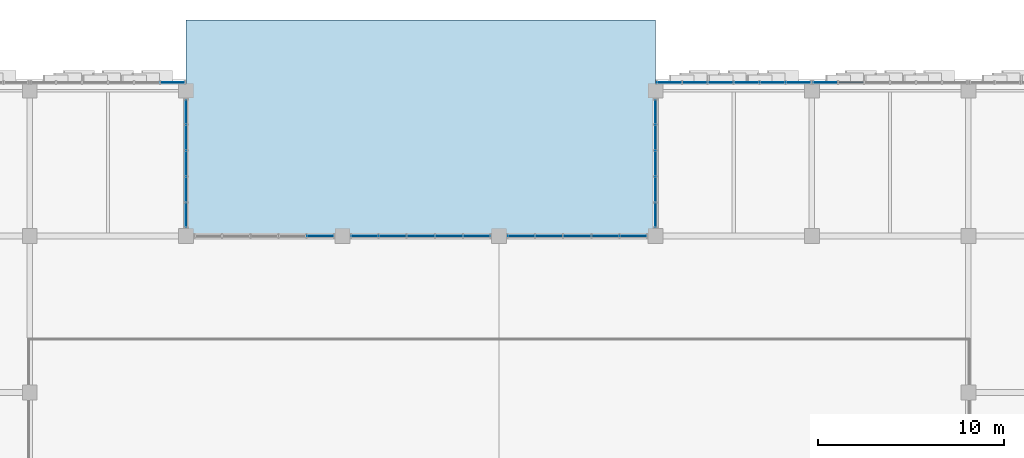
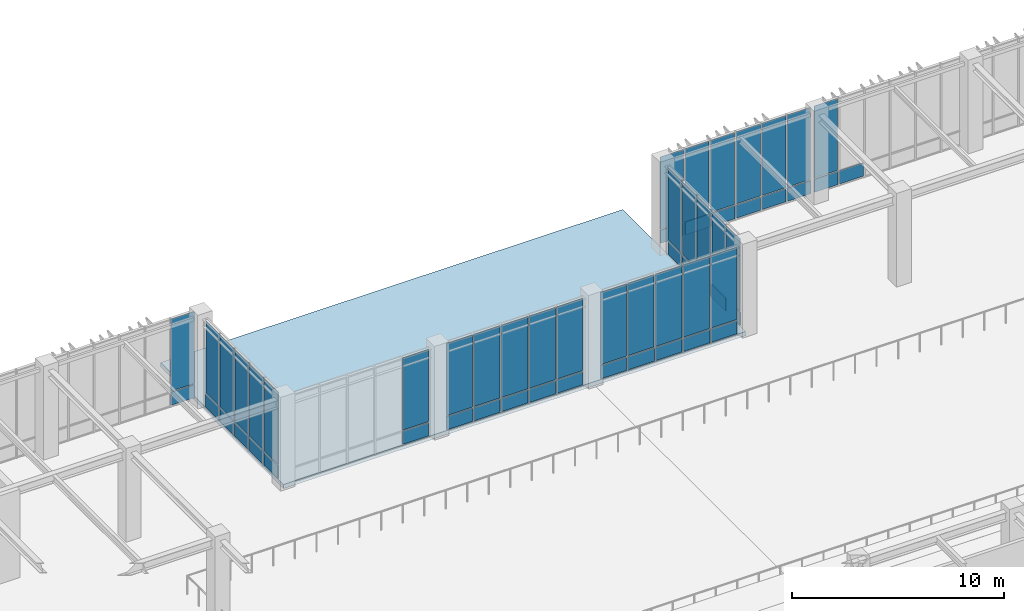
# One storey, part 94 of 139: 59 plates, 1 slab, 8 elements without a shape of their own.
"""IFC4 building model written with IfcOpenShell, lengths in metres."""

import ifcopenshell
import ifcopenshell.guid

model = None  # the IFC model being written
_history = None  # IfcOwnerHistory: only IFC2X3 demands one
_inside = {}  # id of a spatial element -> (the spatial element, [elements in it])
_under = {}  # id of a project, library or spatial element -> (it, [spatial elements below it])
_declared = {}  # id of a project -> (the project, [libraries it declares])
_typed = {}  # id of a type object -> (the type object, [elements of that type])
_made_of = {}  # id of a material, layer set ... -> (it, [elements and type objects made of it])


def new_model(schema):
    """Start an empty IFC model of exactly this schema.

    Asked for "IFC4X3", IfcOpenShell would pick the latest addendum, in which some entities
    have other attributes; the version numbers below select the first issue.
    IFC2X3 requires an IfcOwnerHistory on every rooted entity: one is made here for all.
    """
    global model, _history
    if schema == "IFC4X3":
        model = ifcopenshell.file(schema_version=(4, 3, 0, 0))
    else:
        model = ifcopenshell.file(schema=schema)
    _inside.clear()
    _under.clear()
    _declared.clear()
    _typed.clear()
    _made_of.clear()
    _history = None
    if model.schema == "IFC2X3":
        org = make("IfcOrganization", Name="unknown")
        user = make(
            "IfcPersonAndOrganization",
            ThePerson=make("IfcPerson", FamilyName="unknown"),
            TheOrganization=org,
        )
        app = make(
            "IfcApplication",
            ApplicationDeveloper=org,
            Version="unknown",
            ApplicationFullName="unknown",
            ApplicationIdentifier="unknown",
        )
        _history = make(
            "IfcOwnerHistory",
            OwningUser=user,
            OwningApplication=app,
            ChangeAction="ADDED",
            CreationDate=0,
        )
    return model


def make(cls, **values):
    """One entity of the class cls with the attributes given. An attribute that is None is left unset."""
    return model.create_entity(
        cls, **{name: value for name, value in values.items() if value is not None}
    )


def rooted(cls, **values):
    """An entity with a GlobalId (a new one), such as an element, a storey or a relation."""
    return make(cls, GlobalId=ifcopenshell.guid.new(), OwnerHistory=_history, **values)


def si_unit(unit_type, name, prefix=None):
    """IfcSIUnit, for example si_unit("LENGTHUNIT", "METRE", prefix="MILLI")."""
    return make("IfcSIUnit", UnitType=unit_type, Prefix=prefix, Name=name)


def assignment(units):
    """IfcUnitAssignment: the units of a project."""
    return None if units is None else make("IfcUnitAssignment", Units=units)


def point(xyz):
    """IfcCartesianPoint."""
    return None if xyz is None else make("IfcCartesianPoint", Coordinates=xyz)


def direction(xyz):
    """IfcDirection."""
    return None if xyz is None else make("IfcDirection", DirectionRatios=xyz)


def frame(location, z_axis=None, x_axis=None):
    """IfcAxis2Placement3D, a coordinate frame: its origin and axes. An axis left out is left unset."""
    return make(
        "IfcAxis2Placement3D",
        Location=point(location),
        Axis=direction(z_axis),
        RefDirection=direction(x_axis),
    )


def frame_2d(location, x_axis=None):
    """IfcAxis2Placement2D, a coordinate frame in the plane: its origin and x axis."""
    return make(
        "IfcAxis2Placement2D", Location=point(location), RefDirection=direction(x_axis)
    )


def origin():
    """The frame at (0, 0, 0) with its axes left unset."""
    return frame((0.0, 0.0, 0.0))


def origin_2d():
    """The frame at (0, 0) in the plane with its x axis left unset."""
    return frame_2d((0.0, 0.0))


def place(relative_to, where):
    """IfcLocalPlacement: puts the frame where relative to a parent placement (None: the world)."""
    return make(
        "IfcLocalPlacement", PlacementRelTo=relative_to, RelativePlacement=where
    )


def context(
    kind, dimensions, precision=None, world=None, true_north=None, identifier=None
):
    """IfcGeometricRepresentationContext, for example the 3D "Model" context."""
    return make(
        "IfcGeometricRepresentationContext",
        ContextIdentifier=identifier,
        ContextType=kind,
        CoordinateSpaceDimension=dimensions,
        Precision=precision,
        WorldCoordinateSystem=world,
        TrueNorth=true_north,
    )


def subcontext(parent, identifier, kind, view, scale=None):
    """IfcGeometricRepresentationSubContext, for example "Body" below "Model"."""
    return make(
        "IfcGeometricRepresentationSubContext",
        ContextIdentifier=identifier,
        ContextType=kind,
        ParentContext=parent,
        TargetScale=scale,
        TargetView=view,
    )


def project(units=None, contexts=None):
    """IfcProject with its units and contexts."""
    return rooted(
        "IfcProject",
        Name="project",
        RepresentationContexts=contexts,
        UnitsInContext=assignment(units),
    )


def spatial(cls, under=None, at=None, **own):
    """A site, building, storey or space (cls), placed at a placement, below another one or the project."""
    s = rooted(cls, ObjectPlacement=at, **own)
    if under is not None:
        _under.setdefault(under.id(), (under, []))[1].append(s)
    return s


def polyline(points):
    """IfcPolyline through the points."""
    return make("IfcPolyline", Points=[point(p) for p in points])


def profile(cls, at=None, kind="AREA", **sizes):
    """A parametric profile (cls). Its sizes go by their IFC names, for example OverallWidth=200.0."""
    return make(cls, ProfileType=kind, Position=at, **sizes)


def rectangle(**sizes):
    """IfcRectangleProfileDef."""
    return profile("IfcRectangleProfileDef", **sizes)


def outline(outer, holes=None, kind="AREA"):
    """IfcArbitraryClosedProfileDef: a profile drawn as a closed curve; with holes, ...WithVoids."""
    if holes is None:
        return make("IfcArbitraryClosedProfileDef", ProfileType=kind, OuterCurve=outer)
    return make(
        "IfcArbitraryProfileDefWithVoids",
        ProfileType=kind,
        OuterCurve=outer,
        InnerCurves=holes,
    )


def extrude(swept, where, along, depth):
    """IfcExtrudedAreaSolid: the profile swept, set in the frame where, extruded along a direction by depth."""
    return make(
        "IfcExtrudedAreaSolid",
        SweptArea=swept,
        Position=where,
        ExtrudedDirection=direction(along),
        Depth=depth,
    )


def shape(context_of_items, identifier, shape_type, items):
    """IfcShapeRepresentation: the items that make up one representation, for example the "Body"."""
    return make(
        "IfcShapeRepresentation",
        ContextOfItems=context_of_items,
        RepresentationIdentifier=identifier,
        RepresentationType=shape_type,
        Items=items,
    )


def material(Name=None, Category=None):
    """IfcMaterial."""
    return make("IfcMaterial", Name=Name, Category=Category)


def layer(
    of_material, thickness, ventilated=None, Name=None, Category=None, Priority=None
):
    """IfcMaterialLayer: one layer of a wall or slab, of a material (None: an air gap)."""
    return make(
        "IfcMaterialLayer",
        Material=of_material,
        LayerThickness=thickness,
        IsVentilated=ventilated,
        Name=Name,
        Category=Category,
        Priority=Priority,
    )


def layer_set(layers, Name=None):
    """IfcMaterialLayerSet."""
    return make("IfcMaterialLayerSet", MaterialLayers=layers, LayerSetName=Name)


def made_of(thing, what):
    """Note that an element or type object is made of a material, layer set ...; save() writes the relation."""
    if what is not None:
        _made_of.setdefault(what.id(), (what, []))[1].append(thing)
    return thing


def type_object(cls, material=None, **own):
    """A type object (cls), such as IfcWallType, which elements share."""
    return made_of(rooted(cls, **own), material)


def element(
    cls,
    number,
    at=None,
    inside=None,
    cuts=None,
    type_object=None,
    material=None,
    context=None,
    identifier="Body",
    shape_type=None,
    held_by="IfcProductDefinitionShape",
    body=None,
    shapes=None,
    **own,
):
    """One element of the class cls, such as IfcWall. Its Tag is "e" and its number.

    at: its placement. inside: the storey or other place that contains it. cuts: it is an
    opening in that element (IfcRelVoidsElement). A single representation is given by context,
    identifier, shape_type and body (its items); several are given by shapes. held_by: the class
    of the entity that holds the representations. save() writes the other relations.
    """
    e = rooted(cls, Tag="e%d" % number, ObjectPlacement=at, **own)
    if body is not None:
        shapes = [shape(context, identifier, shape_type, body)]
    if shapes is not None:
        e.Representation = make(held_by, Representations=shapes)
    if inside is not None:
        _inside.setdefault(inside.id(), (inside, []))[1].append(e)
    if cuts is not None:
        rooted(
            "IfcRelVoidsElement", RelatingBuildingElement=cuts, RelatedOpeningElement=e
        )
    if type_object is not None:
        _typed.setdefault(type_object.id(), (type_object, []))[1].append(e)
    return made_of(e, material)


def aggregate(whole, parts):
    """IfcRelAggregates: a whole, such as a stair, and the parts it consists of."""
    return rooted("IfcRelAggregates", RelatingObject=whole, RelatedObjects=parts)


def save(model, path):
    """Write the relations noted so far, then the file.

    IfcRelAggregates (storeys below a building ...), IfcRelContainedInSpatialStructure (elements
    in a storey), IfcRelDefinesByType, IfcRelAssociatesMaterial and IfcRelDeclares: one each for
    every whole, place, type object, material and project.
    """
    for whole, parts in _under.values():
        aggregate(whole, parts)
    for where, things in _inside.values():
        rooted(
            "IfcRelContainedInSpatialStructure",
            RelatedElements=things,
            RelatingStructure=where,
        )
    for kind, things in _typed.values():
        rooted("IfcRelDefinesByType", RelatedObjects=things, RelatingType=kind)
    for what, things in _made_of.values():
        rooted("IfcRelAssociatesMaterial", RelatedObjects=things, RelatingMaterial=what)
    for by, libraries in _declared.values():
        rooted("IfcRelDeclares", RelatingContext=by, RelatedDefinitions=libraries)
    model.write(path)


model = new_model("IFC4")

# Units and contexts
model_context = context("Model", 3, precision=1e-05, world=origin(), true_north=direction((0.0, 1.0)))
body_context = subcontext(model_context, "Body", "Model", "MODEL_VIEW")
ifc_project = project(units=[si_unit("LENGTHUNIT", "METRE"), si_unit("AREAUNIT", "SQUARE_METRE"), si_unit("VOLUMEUNIT", "CUBIC_METRE"), si_unit("PLANEANGLEUNIT", "RADIAN"), si_unit("MASSUNIT", "GRAM", prefix="KILO")], contexts=[model_context])

# Site, building, storey
site_placement = place(None, origin())
site = spatial("IfcSite", under=ifc_project, at=site_placement, CompositionType="ELEMENT")
building_placement = place(site_placement, origin())
building = spatial("IfcBuilding", under=site, at=building_placement, Name="Zayran Congress Hotel", CompositionType="ELEMENT")
storey_placement = place(building_placement, frame((0.0, 0.0, 5.39990234375)))
storey = spatial("IfcBuildingStorey", under=building, at=storey_placement, Name="L01", CompositionType="ELEMENT", Elevation=5.39990234375)

# Slab
ifc_material_1 = material(Name="Concrete C32/40", Category="concrete")
ifc_layer_1 = layer(ifc_material_1, 0.239990234375)
ifc_layer_set_1 = layer_set([ifc_layer_1], Name="Concrete C32/40")
slab_type = type_object("IfcSlabType", Name="SL-RF-240", PredefinedType="ROOF", material=ifc_layer_set_1)
slab_placement = place(storey_placement, frame((0.0, 0.0, -0.239990234375)))
element("IfcSlab", 1, at=slab_placement, inside=storey, type_object=slab_type, Name="North Avenue Recessed Foyer Projecting Entrance Canopy", PredefinedType="ROOF", context=body_context, shape_type="SweptSolid", body=[
    extrude(outline(polyline([(33.60009765625, 109.60009765625), (58.800048828125, 109.60009765625), (58.800048828125, 121.199951171875), (33.60009765625, 121.199951171875), (33.60009765625, 109.60009765625)])), origin(), (0.0, 0.0, 1.0), 0.239990234375),
])

# Curtain wall, plate
ifc_material_2 = material(Name="Anodised aluminium and low-E insulated glass", Category="aluminium")
ifc_layer_2 = layer(ifc_material_2, 0.179931640625)
ifc_layer_set_2 = layer_set([ifc_layer_2], Name="Anodised aluminium and low-E insulated glass")
curtain_wall_type_1 = type_object("IfcCurtainWallType", Name="CW-V1N-L01-CW-23-8360-5080", PredefinedType="USERDEFINED", material=ifc_layer_set_2)
curtain_wall_1_placement = place(storey_placement, origin())
curtain_wall_1 = element("IfcCurtainWall", 2, at=curtain_wall_1_placement, inside=storey, type_object=curtain_wall_type_1, Name="CW-V1N-L01-2", ObjectType="CURTAIN WALL", PredefinedType="USERDEFINED")
ifc_layer_3 = layer(ifc_material_2, 0.028076171875)
ifc_layer_set_3 = layer_set([ifc_layer_3], Name="Anodised aluminium and low-E insulated glass")
plate_type_1 = type_object("IfcPlateType", Name="CWP-GL-1273-4150", PredefinedType="CURTAIN_PANEL", material=ifc_layer_set_3)
plate_1_placement = place(storey_placement, frame((32.86328125, 117.85009765625, 0.8701171875), z_axis=(0.0, 0.0, 1.0), x_axis=(1.0, 0.0, 0.0)))
plate_1 = element("IfcPlate", 3, at=plate_1_placement, type_object=plate_type_1, Name="CW-23 Glazed Panel 1", PredefinedType="CURTAIN_PANEL", context=body_context, shape_type="SweptSolid", body=[
    extrude(rectangle(XDim=1.273193359375, YDim=0.028076171875, at=origin_2d()), origin(), (0.0, 0.0, 1.0), 4.14990234375),
])

# Curtain wall, plates
ifc_layer_4 = layer(ifc_material_2, 0.179931640625)
ifc_layer_set_4 = layer_set([ifc_layer_4], Name="Anodised aluminium and low-E insulated glass")
curtain_wall_type_2 = type_object("IfcCurtainWallType", Name="CW-V1N-L01-CW-21-8360-5080", PredefinedType="USERDEFINED", material=ifc_layer_set_4)
curtain_wall_2_placement = place(storey_placement, origin())
curtain_wall_2 = element("IfcCurtainWall", 4, at=curtain_wall_2_placement, inside=storey, type_object=curtain_wall_type_2, Name="CW-V1N-L01-6", ObjectType="CURTAIN WALL", PredefinedType="USERDEFINED")
plate_2_placement = place(storey_placement, frame((66.46337890625, 117.85009765625, 0.8701171875), z_axis=(0.0, 0.0, 1.0), x_axis=(1.0, 0.0, 0.0)))
plate_2 = element("IfcPlate", 5, at=plate_2_placement, type_object=plate_type_1, Name="CW-21 Glazed Panel 1", PredefinedType="CURTAIN_PANEL", context=body_context, shape_type="SweptSolid", body=[
    extrude(rectangle(XDim=1.273193359375, YDim=0.028076171875, at=origin_2d()), origin(), (0.0, 0.0, 1.0), 4.14990234375),
])
plate_3_placement = place(storey_placement, frame((65.090087890625, 117.85009765625, 0.8701171875), z_axis=(0.0, 0.0, 1.0), x_axis=(1.0, 0.0, 0.0)))
plate_3 = element("IfcPlate", 6, at=plate_3_placement, type_object=plate_type_1, Name="CW-21 Glazed Panel 2", PredefinedType="CURTAIN_PANEL", context=body_context, shape_type="SweptSolid", body=[
    extrude(rectangle(XDim=1.313232421875, YDim=0.028076171875, at=origin_2d()), origin(), (0.0, 0.0, 1.0), 4.14990234375),
])
plate_4_placement = place(storey_placement, frame((63.69677734375, 117.85009765625, 0.8701171875), z_axis=(0.0, 0.0, 1.0), x_axis=(1.0, 0.0, 0.0)))
plate_4 = element("IfcPlate", 7, at=plate_4_placement, type_object=plate_type_1, Name="CW-21 Glazed Panel 3", PredefinedType="CURTAIN_PANEL", context=body_context, shape_type="SweptSolid", body=[
    extrude(rectangle(XDim=1.313232421875, YDim=0.028076171875, at=origin_2d()), origin(), (0.0, 0.0, 1.0), 4.14990234375),
])
plate_5_placement = place(storey_placement, frame((62.30322265625, 117.85009765625, 0.8701171875), z_axis=(0.0, 0.0, 1.0), x_axis=(1.0, 0.0, 0.0)))
plate_5 = element("IfcPlate", 8, at=plate_5_placement, type_object=plate_type_1, Name="CW-21 Glazed Panel 4", PredefinedType="CURTAIN_PANEL", context=body_context, shape_type="SweptSolid", body=[
    extrude(rectangle(XDim=1.313232421875, YDim=0.028076171875, at=origin_2d()), origin(), (0.0, 0.0, 1.0), 4.14990234375),
])
plate_6_placement = place(storey_placement, frame((60.909912109375, 117.85009765625, 0.8701171875), z_axis=(0.0, 0.0, 1.0), x_axis=(1.0, 0.0, 0.0)))
plate_6 = element("IfcPlate", 9, at=plate_6_placement, type_object=plate_type_1, Name="CW-21 Glazed Panel 5", PredefinedType="CURTAIN_PANEL", context=body_context, shape_type="SweptSolid", body=[
    extrude(rectangle(XDim=1.313232421875, YDim=0.028076171875, at=origin_2d()), origin(), (0.0, 0.0, 1.0), 4.14990234375),
])
plate_7_placement = place(storey_placement, frame((59.53662109375, 117.85009765625, 0.8701171875), z_axis=(0.0, 0.0, 1.0), x_axis=(1.0, 0.0, 0.0)))
plate_7 = element("IfcPlate", 10, at=plate_7_placement, type_object=plate_type_1, Name="CW-21 Glazed Panel 6", PredefinedType="CURTAIN_PANEL", context=body_context, shape_type="SweptSolid", body=[
    extrude(rectangle(XDim=1.273193359375, YDim=0.028076171875, at=origin_2d()), origin(), (0.0, 0.0, 1.0), 4.14990234375),
])

# Curtain wall, plate
ifc_layer_5 = layer(ifc_material_2, 0.179931640625)
ifc_layer_set_5 = layer_set([ifc_layer_5], Name="Anodised aluminium and low-E insulated glass")
curtain_wall_type_3 = type_object("IfcCurtainWallType", Name="CW-V1N-L01-CW-22-8360-5080", PredefinedType="USERDEFINED", material=ifc_layer_set_5)
curtain_wall_3_placement = place(storey_placement, origin())
curtain_wall_3 = element("IfcCurtainWall", 11, at=curtain_wall_3_placement, inside=storey, type_object=curtain_wall_type_3, Name="CW-V1N-L01-7", ObjectType="CURTAIN WALL", PredefinedType="USERDEFINED")
plate_8_placement = place(storey_placement, frame((67.936767578125, 117.85009765625, 0.8701171875), z_axis=(0.0, 0.0, 1.0), x_axis=(1.0, 0.0, 0.0)))
plate_8 = element("IfcPlate", 12, at=plate_8_placement, type_object=plate_type_1, Name="CW-22 Glazed Panel 6", PredefinedType="CURTAIN_PANEL", context=body_context, shape_type="SweptSolid", body=[
    extrude(rectangle(XDim=1.273193359375, YDim=0.028076171875, at=origin_2d()), origin(), (0.0, 0.0, 1.0), 4.14990234375),
])

# Plate
ifc_material_3 = material(Name="Insulated warm bronze aluminium spandrel panel", Category="aluminium")
ifc_layer_6 = layer(ifc_material_3, 0.06005859375)
ifc_layer_set_6 = layer_set([ifc_layer_6], Name="Insulated warm bronze aluminium spandrel panel")
plate_type_2 = type_object("IfcPlateType", Name="CWP-SP-1273-750", PredefinedType="CURTAIN_PANEL", material=ifc_layer_set_6)
plate_9_placement = place(storey_placement, frame((32.86328125, 117.85009765625, 0.06005859375), z_axis=(0.0, 0.0, 1.0), x_axis=(1.0, 0.0, 0.0)))
plate_9 = element("IfcPlate", 13, at=plate_9_placement, type_object=plate_type_2, Name="CW-23 Spandrel Panel 1", PredefinedType="CURTAIN_PANEL", context=body_context, shape_type="SweptSolid", body=[
    extrude(rectangle(XDim=1.273193359375, YDim=0.06005859375, at=origin_2d()), origin(), (0.0, 0.0, 1.0), 0.75),
])

aggregate(curtain_wall_1, [plate_9, plate_1])

plate_10_placement = place(storey_placement, frame((66.46337890625, 117.85009765625, 0.06005859375), z_axis=(0.0, 0.0, 1.0), x_axis=(1.0, 0.0, 0.0)))
plate_10 = element("IfcPlate", 14, at=plate_10_placement, type_object=plate_type_2, Name="CW-21 Spandrel Panel 1", PredefinedType="CURTAIN_PANEL", context=body_context, shape_type="SweptSolid", body=[
    extrude(rectangle(XDim=1.273193359375, YDim=0.06005859375, at=origin_2d()), origin(), (0.0, 0.0, 1.0), 0.75),
])

plate_11_placement = place(storey_placement, frame((65.090087890625, 117.85009765625, 0.06005859375), z_axis=(0.0, 0.0, 1.0), x_axis=(1.0, 0.0, 0.0)))
plate_11 = element("IfcPlate", 15, at=plate_11_placement, type_object=plate_type_2, Name="CW-21 Spandrel Panel 2", PredefinedType="CURTAIN_PANEL", context=body_context, shape_type="SweptSolid", body=[
    extrude(rectangle(XDim=1.313232421875, YDim=0.06005859375, at=origin_2d()), origin(), (0.0, 0.0, 1.0), 0.75),
])

plate_12_placement = place(storey_placement, frame((63.69677734375, 117.85009765625, 0.06005859375), z_axis=(0.0, 0.0, 1.0), x_axis=(1.0, 0.0, 0.0)))
plate_12 = element("IfcPlate", 16, at=plate_12_placement, type_object=plate_type_2, Name="CW-21 Spandrel Panel 3", PredefinedType="CURTAIN_PANEL", context=body_context, shape_type="SweptSolid", body=[
    extrude(rectangle(XDim=1.313232421875, YDim=0.06005859375, at=origin_2d()), origin(), (0.0, 0.0, 1.0), 0.75),
])

plate_13_placement = place(storey_placement, frame((62.30322265625, 117.85009765625, 0.06005859375), z_axis=(0.0, 0.0, 1.0), x_axis=(1.0, 0.0, 0.0)))
plate_13 = element("IfcPlate", 17, at=plate_13_placement, type_object=plate_type_2, Name="CW-21 Spandrel Panel 4", PredefinedType="CURTAIN_PANEL", context=body_context, shape_type="SweptSolid", body=[
    extrude(rectangle(XDim=1.313232421875, YDim=0.06005859375, at=origin_2d()), origin(), (0.0, 0.0, 1.0), 0.75),
])

plate_14_placement = place(storey_placement, frame((60.909912109375, 117.85009765625, 0.06005859375), z_axis=(0.0, 0.0, 1.0), x_axis=(1.0, 0.0, 0.0)))
plate_14 = element("IfcPlate", 18, at=plate_14_placement, type_object=plate_type_2, Name="CW-21 Spandrel Panel 5", PredefinedType="CURTAIN_PANEL", context=body_context, shape_type="SweptSolid", body=[
    extrude(rectangle(XDim=1.313232421875, YDim=0.06005859375, at=origin_2d()), origin(), (0.0, 0.0, 1.0), 0.75),
])

plate_15_placement = place(storey_placement, frame((59.53662109375, 117.85009765625, 0.06005859375), z_axis=(0.0, 0.0, 1.0), x_axis=(1.0, 0.0, 0.0)))
plate_15 = element("IfcPlate", 19, at=plate_15_placement, type_object=plate_type_2, Name="CW-21 Spandrel Panel 6", PredefinedType="CURTAIN_PANEL", context=body_context, shape_type="SweptSolid", body=[
    extrude(rectangle(XDim=1.273193359375, YDim=0.06005859375, at=origin_2d()), origin(), (0.0, 0.0, 1.0), 0.75),
])

aggregate(curtain_wall_2, [plate_10, plate_2, plate_11, plate_3, plate_12, plate_4, plate_13, plate_5, plate_14, plate_6, plate_15, plate_7])

plate_16_placement = place(storey_placement, frame((69.31005859375, 117.85009765625, 0.06005859375), z_axis=(0.0, 0.0, 1.0), x_axis=(1.0, 0.0, 0.0)))
plate_16 = element("IfcPlate", 20, at=plate_16_placement, type_object=plate_type_2, Name="CW-22 Spandrel Panel 5", PredefinedType="CURTAIN_PANEL", context=body_context, shape_type="SweptSolid", body=[
    extrude(rectangle(XDim=1.313232421875, YDim=0.06005859375, at=origin_2d()), origin(), (0.0, 0.0, 1.0), 0.75),
])

plate_17_placement = place(storey_placement, frame((67.936767578125, 117.85009765625, 0.06005859375), z_axis=(0.0, 0.0, 1.0), x_axis=(1.0, 0.0, 0.0)))
plate_17 = element("IfcPlate", 21, at=plate_17_placement, type_object=plate_type_2, Name="CW-22 Spandrel Panel 6", PredefinedType="CURTAIN_PANEL", context=body_context, shape_type="SweptSolid", body=[
    extrude(rectangle(XDim=1.273193359375, YDim=0.06005859375, at=origin_2d()), origin(), (0.0, 0.0, 1.0), 0.75),
])

aggregate(curtain_wall_3, [plate_16, plate_17, plate_8])

# Curtain wall, plates
ifc_layer_7 = layer(ifc_material_2, 0.179931640625)
ifc_layer_set_7 = layer_set([ifc_layer_7], Name="Anodised aluminium and low-E insulated glass")
curtain_wall_type_4 = type_object("IfcCurtainWallType", Name="CW-V1NW-L01-CW-24-6960-5080", PredefinedType="USERDEFINED", material=ifc_layer_set_7)
curtain_wall_4_placement = place(storey_placement, origin())
curtain_wall_4 = element("IfcCurtainWall", 22, at=curtain_wall_4_placement, inside=storey, type_object=curtain_wall_type_4, Name="CW-V1NW-L01", ObjectType="CURTAIN WALL", PredefinedType="USERDEFINED")
ifc_layer_8 = layer(ifc_material_2, 0.028076171875)
ifc_layer_set_8 = layer_set([ifc_layer_8], Name="Anodised aluminium and low-E insulated glass")
plate_type_3 = type_object("IfcPlateType", Name="CWP-GL-1272-4150", PredefinedType="CURTAIN_PANEL", material=ifc_layer_set_8)
plate_18_placement = place(storey_placement, frame((33.60009765625, 110.736083984375, 0.8701171875), z_axis=(0.0, 0.0, 1.0), x_axis=(0.0, 1.0, 0.0)))
plate_18 = element("IfcPlate", 23, at=plate_18_placement, type_object=plate_type_3, Name="CW-24 Glazed Panel 1", PredefinedType="CURTAIN_PANEL", context=body_context, shape_type="SweptSolid", body=[
    extrude(rectangle(XDim=1.27197265625, YDim=0.028076171875, at=origin_2d()), origin(), (0.0, 0.0, 1.0), 4.14990234375),
])
plate_19_placement = place(storey_placement, frame((33.60009765625, 112.10791015625, 0.8701171875), z_axis=(0.0, 0.0, 1.0), x_axis=(0.0, 1.0, 0.0)))
plate_19 = element("IfcPlate", 24, at=plate_19_placement, type_object=plate_type_3, Name="CW-24 Glazed Panel 2", PredefinedType="CURTAIN_PANEL", context=body_context, shape_type="SweptSolid", body=[
    extrude(rectangle(XDim=1.31201171875, YDim=0.028076171875, at=origin_2d()), origin(), (0.0, 0.0, 1.0), 4.14990234375),
])
plate_20_placement = place(storey_placement, frame((33.60009765625, 113.5, 0.8701171875), z_axis=(0.0, 0.0, 1.0), x_axis=(0.0, 1.0, 0.0)))
plate_20 = element("IfcPlate", 25, at=plate_20_placement, type_object=plate_type_3, Name="CW-24 Glazed Panel 3", PredefinedType="CURTAIN_PANEL", context=body_context, shape_type="SweptSolid", body=[
    extrude(rectangle(XDim=1.31201171875, YDim=0.028076171875, at=origin_2d()), origin(), (0.0, 0.0, 1.0), 4.14990234375),
])
plate_21_placement = place(storey_placement, frame((33.60009765625, 114.89208984375, 0.8701171875), z_axis=(0.0, 0.0, 1.0), x_axis=(0.0, 1.0, 0.0)))
plate_21 = element("IfcPlate", 26, at=plate_21_placement, type_object=plate_type_3, Name="CW-24 Glazed Panel 4", PredefinedType="CURTAIN_PANEL", context=body_context, shape_type="SweptSolid", body=[
    extrude(rectangle(XDim=1.31201171875, YDim=0.028076171875, at=origin_2d()), origin(), (0.0, 0.0, 1.0), 4.14990234375),
])
plate_22_placement = place(storey_placement, frame((33.60009765625, 116.263916015625, 0.8701171875), z_axis=(0.0, 0.0, 1.0), x_axis=(0.0, 1.0, 0.0)))
plate_22 = element("IfcPlate", 27, at=plate_22_placement, type_object=plate_type_3, Name="CW-24 Glazed Panel 5", PredefinedType="CURTAIN_PANEL", context=body_context, shape_type="SweptSolid", body=[
    extrude(rectangle(XDim=1.27197265625, YDim=0.028076171875, at=origin_2d()), origin(), (0.0, 0.0, 1.0), 4.14990234375),
])

ifc_layer_9 = layer(ifc_material_2, 0.179931640625)
ifc_layer_set_9 = layer_set([ifc_layer_9], Name="Anodised aluminium and low-E insulated glass")
curtain_wall_type_5 = type_object("IfcCurtainWallType", Name="CW-V1NE-L01-CW-25-6960-5080", PredefinedType="USERDEFINED", material=ifc_layer_set_9)
curtain_wall_5_placement = place(storey_placement, origin())
curtain_wall_5 = element("IfcCurtainWall", 28, at=curtain_wall_5_placement, inside=storey, type_object=curtain_wall_type_5, Name="CW-V1NE-L01", ObjectType="CURTAIN WALL", PredefinedType="USERDEFINED")
plate_23_placement = place(storey_placement, frame((58.800048828125, 116.263916015625, 0.8701171875), z_axis=(0.0, 0.0, 1.0), x_axis=(0.0, 1.0, 0.0)))
plate_23 = element("IfcPlate", 29, at=plate_23_placement, type_object=plate_type_3, Name="CW-25 Glazed Panel 1", PredefinedType="CURTAIN_PANEL", context=body_context, shape_type="SweptSolid", body=[
    extrude(rectangle(XDim=1.27197265625, YDim=0.028076171875, at=origin_2d()), origin(), (0.0, 0.0, 1.0), 4.14990234375),
])
plate_24_placement = place(storey_placement, frame((58.800048828125, 114.89208984375, 0.8701171875), z_axis=(0.0, 0.0, 1.0), x_axis=(0.0, 1.0, 0.0)))
plate_24 = element("IfcPlate", 30, at=plate_24_placement, type_object=plate_type_3, Name="CW-25 Glazed Panel 2", PredefinedType="CURTAIN_PANEL", context=body_context, shape_type="SweptSolid", body=[
    extrude(rectangle(XDim=1.31201171875, YDim=0.028076171875, at=origin_2d()), origin(), (0.0, 0.0, 1.0), 4.14990234375),
])
plate_25_placement = place(storey_placement, frame((58.800048828125, 113.5, 0.8701171875), z_axis=(0.0, 0.0, 1.0), x_axis=(0.0, 1.0, 0.0)))
plate_25 = element("IfcPlate", 31, at=plate_25_placement, type_object=plate_type_3, Name="CW-25 Glazed Panel 3", PredefinedType="CURTAIN_PANEL", context=body_context, shape_type="SweptSolid", body=[
    extrude(rectangle(XDim=1.31201171875, YDim=0.028076171875, at=origin_2d()), origin(), (0.0, 0.0, 1.0), 4.14990234375),
])
plate_26_placement = place(storey_placement, frame((58.800048828125, 112.10791015625, 0.8701171875), z_axis=(0.0, 0.0, 1.0), x_axis=(0.0, 1.0, 0.0)))
plate_26 = element("IfcPlate", 32, at=plate_26_placement, type_object=plate_type_3, Name="CW-25 Glazed Panel 4", PredefinedType="CURTAIN_PANEL", context=body_context, shape_type="SweptSolid", body=[
    extrude(rectangle(XDim=1.31201171875, YDim=0.028076171875, at=origin_2d()), origin(), (0.0, 0.0, 1.0), 4.14990234375),
])
plate_27_placement = place(storey_placement, frame((58.800048828125, 110.736083984375, 0.8701171875), z_axis=(0.0, 0.0, 1.0), x_axis=(0.0, 1.0, 0.0)))
plate_27 = element("IfcPlate", 33, at=plate_27_placement, type_object=plate_type_3, Name="CW-25 Glazed Panel 5", PredefinedType="CURTAIN_PANEL", context=body_context, shape_type="SweptSolid", body=[
    extrude(rectangle(XDim=1.27197265625, YDim=0.028076171875, at=origin_2d()), origin(), (0.0, 0.0, 1.0), 4.14990234375),
])

# Plate
ifc_layer_10 = layer(ifc_material_3, 0.06005859375)
ifc_layer_set_10 = layer_set([ifc_layer_10], Name="Insulated warm bronze aluminium spandrel panel")
plate_type_4 = type_object("IfcPlateType", Name="CWP-SP-1272-750", PredefinedType="CURTAIN_PANEL", material=ifc_layer_set_10)
plate_28_placement = place(storey_placement, frame((33.60009765625, 110.736083984375, 0.06005859375), z_axis=(0.0, 0.0, 1.0), x_axis=(0.0, 1.0, 0.0)))
plate_28 = element("IfcPlate", 34, at=plate_28_placement, type_object=plate_type_4, Name="CW-24 Spandrel Panel 1", PredefinedType="CURTAIN_PANEL", context=body_context, shape_type="SweptSolid", body=[
    extrude(rectangle(XDim=1.27197265625, YDim=0.06005859375, at=origin_2d()), origin(), (0.0, 0.0, 1.0), 0.75),
])

plate_29_placement = place(storey_placement, frame((33.60009765625, 112.10791015625, 0.06005859375), z_axis=(0.0, 0.0, 1.0), x_axis=(0.0, 1.0, 0.0)))
plate_29 = element("IfcPlate", 35, at=plate_29_placement, type_object=plate_type_4, Name="CW-24 Spandrel Panel 2", PredefinedType="CURTAIN_PANEL", context=body_context, shape_type="SweptSolid", body=[
    extrude(rectangle(XDim=1.31201171875, YDim=0.06005859375, at=origin_2d()), origin(), (0.0, 0.0, 1.0), 0.75),
])

plate_30_placement = place(storey_placement, frame((33.60009765625, 113.5, 0.06005859375), z_axis=(0.0, 0.0, 1.0), x_axis=(0.0, 1.0, 0.0)))
plate_30 = element("IfcPlate", 36, at=plate_30_placement, type_object=plate_type_4, Name="CW-24 Spandrel Panel 3", PredefinedType="CURTAIN_PANEL", context=body_context, shape_type="SweptSolid", body=[
    extrude(rectangle(XDim=1.31201171875, YDim=0.06005859375, at=origin_2d()), origin(), (0.0, 0.0, 1.0), 0.75),
])

plate_31_placement = place(storey_placement, frame((33.60009765625, 114.89208984375, 0.06005859375), z_axis=(0.0, 0.0, 1.0), x_axis=(0.0, 1.0, 0.0)))
plate_31 = element("IfcPlate", 37, at=plate_31_placement, type_object=plate_type_4, Name="CW-24 Spandrel Panel 4", PredefinedType="CURTAIN_PANEL", context=body_context, shape_type="SweptSolid", body=[
    extrude(rectangle(XDim=1.31201171875, YDim=0.06005859375, at=origin_2d()), origin(), (0.0, 0.0, 1.0), 0.75),
])

plate_32_placement = place(storey_placement, frame((33.60009765625, 116.263916015625, 0.06005859375), z_axis=(0.0, 0.0, 1.0), x_axis=(0.0, 1.0, 0.0)))
plate_32 = element("IfcPlate", 38, at=plate_32_placement, type_object=plate_type_4, Name="CW-24 Spandrel Panel 5", PredefinedType="CURTAIN_PANEL", context=body_context, shape_type="SweptSolid", body=[
    extrude(rectangle(XDim=1.27197265625, YDim=0.06005859375, at=origin_2d()), origin(), (0.0, 0.0, 1.0), 0.75),
])

aggregate(curtain_wall_4, [plate_28, plate_18, plate_29, plate_19, plate_30, plate_20, plate_31, plate_21, plate_32, plate_22])

plate_33_placement = place(storey_placement, frame((58.800048828125, 116.263916015625, 0.06005859375), z_axis=(0.0, 0.0, 1.0), x_axis=(0.0, 1.0, 0.0)))
plate_33 = element("IfcPlate", 39, at=plate_33_placement, type_object=plate_type_4, Name="CW-25 Spandrel Panel 1", PredefinedType="CURTAIN_PANEL", context=body_context, shape_type="SweptSolid", body=[
    extrude(rectangle(XDim=1.27197265625, YDim=0.06005859375, at=origin_2d()), origin(), (0.0, 0.0, 1.0), 0.75),
])

plate_34_placement = place(storey_placement, frame((58.800048828125, 114.89208984375, 0.06005859375), z_axis=(0.0, 0.0, 1.0), x_axis=(0.0, 1.0, 0.0)))
plate_34 = element("IfcPlate", 40, at=plate_34_placement, type_object=plate_type_4, Name="CW-25 Spandrel Panel 2", PredefinedType="CURTAIN_PANEL", context=body_context, shape_type="SweptSolid", body=[
    extrude(rectangle(XDim=1.31201171875, YDim=0.06005859375, at=origin_2d()), origin(), (0.0, 0.0, 1.0), 0.75),
])

plate_35_placement = place(storey_placement, frame((58.800048828125, 113.5, 0.06005859375), z_axis=(0.0, 0.0, 1.0), x_axis=(0.0, 1.0, 0.0)))
plate_35 = element("IfcPlate", 41, at=plate_35_placement, type_object=plate_type_4, Name="CW-25 Spandrel Panel 3", PredefinedType="CURTAIN_PANEL", context=body_context, shape_type="SweptSolid", body=[
    extrude(rectangle(XDim=1.31201171875, YDim=0.06005859375, at=origin_2d()), origin(), (0.0, 0.0, 1.0), 0.75),
])

plate_36_placement = place(storey_placement, frame((58.800048828125, 112.10791015625, 0.06005859375), z_axis=(0.0, 0.0, 1.0), x_axis=(0.0, 1.0, 0.0)))
plate_36 = element("IfcPlate", 42, at=plate_36_placement, type_object=plate_type_4, Name="CW-25 Spandrel Panel 4", PredefinedType="CURTAIN_PANEL", context=body_context, shape_type="SweptSolid", body=[
    extrude(rectangle(XDim=1.31201171875, YDim=0.06005859375, at=origin_2d()), origin(), (0.0, 0.0, 1.0), 0.75),
])

plate_37_placement = place(storey_placement, frame((58.800048828125, 110.736083984375, 0.06005859375), z_axis=(0.0, 0.0, 1.0), x_axis=(0.0, 1.0, 0.0)))
plate_37 = element("IfcPlate", 43, at=plate_37_placement, type_object=plate_type_4, Name="CW-25 Spandrel Panel 5", PredefinedType="CURTAIN_PANEL", context=body_context, shape_type="SweptSolid", body=[
    extrude(rectangle(XDim=1.27197265625, YDim=0.06005859375, at=origin_2d()), origin(), (0.0, 0.0, 1.0), 0.75),
])

aggregate(curtain_wall_5, [plate_33, plate_23, plate_34, plate_24, plate_35, plate_25, plate_36, plate_26, plate_37, plate_27])

# Curtain wall, plate
ifc_layer_11 = layer(ifc_material_2, 0.179931640625)
ifc_layer_set_11 = layer_set([ifc_layer_11], Name="Anodised aluminium and low-E insulated glass")
curtain_wall_type_6 = type_object("IfcCurtainWallType", Name="CW-V1NF-L01-CW-21-7560-5080", PredefinedType="USERDEFINED", material=ifc_layer_set_11)
curtain_wall_6_placement = place(storey_placement, origin())
curtain_wall_6 = element("IfcCurtainWall", 44, at=curtain_wall_6_placement, inside=storey, type_object=curtain_wall_type_6, Name="CW-V1NF-L01-3", ObjectType="CURTAIN WALL", PredefinedType="USERDEFINED")
ifc_layer_12 = layer(ifc_material_2, 0.028076171875)
ifc_layer_set_12 = layer_set([ifc_layer_12], Name="Anodised aluminium and low-E insulated glass")
plate_type_5 = type_object("IfcPlateType", Name="CWP-GL-1392-4150", PredefinedType="CURTAIN_PANEL", material=ifc_layer_set_12)
plate_38_placement = place(storey_placement, frame((40.803955078125, 109.60009765625, 0.8701171875), z_axis=(0.0, 0.0, 1.0), x_axis=(1.0, 0.0, 0.0)))
plate_38 = element("IfcPlate", 45, at=plate_38_placement, type_object=plate_type_5, Name="CW-21 Glazed Panel 1", PredefinedType="CURTAIN_PANEL", context=body_context, shape_type="SweptSolid", body=[
    extrude(rectangle(XDim=1.39208984375, YDim=0.028076171875, at=origin_2d()), origin(), (0.0, 0.0, 1.0), 4.14990234375),
])

# Curtain wall, plates
ifc_layer_13 = layer(ifc_material_2, 0.179931640625)
ifc_layer_set_13 = layer_set([ifc_layer_13], Name="Anodised aluminium and low-E insulated glass")
curtain_wall_type_7 = type_object("IfcCurtainWallType", Name="CW-V1NF-L01-CW-22-7560-5080", PredefinedType="USERDEFINED", material=ifc_layer_set_13)
curtain_wall_7_placement = place(storey_placement, origin())
curtain_wall_7 = element("IfcCurtainWall", 46, at=curtain_wall_7_placement, inside=storey, type_object=curtain_wall_type_7, Name="CW-V1NF-L01-4", ObjectType="CURTAIN WALL", PredefinedType="USERDEFINED")
plate_39_placement = place(storey_placement, frame((49.2041015625, 109.60009765625, 0.8701171875), z_axis=(0.0, 0.0, 1.0), x_axis=(1.0, 0.0, 0.0)))
plate_39 = element("IfcPlate", 47, at=plate_39_placement, type_object=plate_type_5, Name="CW-22 Glazed Panel 1", PredefinedType="CURTAIN_PANEL", context=body_context, shape_type="SweptSolid", body=[
    extrude(rectangle(XDim=1.39208984375, YDim=0.028076171875, at=origin_2d()), origin(), (0.0, 0.0, 1.0), 4.14990234375),
])
plate_40_placement = place(storey_placement, frame((47.7119140625, 109.60009765625, 0.8701171875), z_axis=(0.0, 0.0, 1.0), x_axis=(1.0, 0.0, 0.0)))
plate_40 = element("IfcPlate", 48, at=plate_40_placement, type_object=plate_type_5, Name="CW-22 Glazed Panel 2", PredefinedType="CURTAIN_PANEL", context=body_context, shape_type="SweptSolid", body=[
    extrude(rectangle(XDim=1.431884765625, YDim=0.028076171875, at=origin_2d()), origin(), (0.0, 0.0, 1.0), 4.14990234375),
])
plate_41_placement = place(storey_placement, frame((46.199951171875, 109.60009765625, 0.8701171875), z_axis=(0.0, 0.0, 1.0), x_axis=(1.0, 0.0, 0.0)))
plate_41 = element("IfcPlate", 49, at=plate_41_placement, type_object=plate_type_5, Name="CW-22 Glazed Panel 3", PredefinedType="CURTAIN_PANEL", context=body_context, shape_type="SweptSolid", body=[
    extrude(rectangle(XDim=1.431884765625, YDim=0.028076171875, at=origin_2d()), origin(), (0.0, 0.0, 1.0), 4.14990234375),
])
plate_42_placement = place(storey_placement, frame((44.68798828125, 109.60009765625, 0.8701171875), z_axis=(0.0, 0.0, 1.0), x_axis=(1.0, 0.0, 0.0)))
plate_42 = element("IfcPlate", 50, at=plate_42_placement, type_object=plate_type_5, Name="CW-22 Glazed Panel 4", PredefinedType="CURTAIN_PANEL", context=body_context, shape_type="SweptSolid", body=[
    extrude(rectangle(XDim=1.431884765625, YDim=0.028076171875, at=origin_2d()), origin(), (0.0, 0.0, 1.0), 4.14990234375),
])
plate_43_placement = place(storey_placement, frame((43.196044921875, 109.60009765625, 0.8701171875), z_axis=(0.0, 0.0, 1.0), x_axis=(1.0, 0.0, 0.0)))
plate_43 = element("IfcPlate", 51, at=plate_43_placement, type_object=plate_type_5, Name="CW-22 Glazed Panel 5", PredefinedType="CURTAIN_PANEL", context=body_context, shape_type="SweptSolid", body=[
    extrude(rectangle(XDim=1.39208984375, YDim=0.028076171875, at=origin_2d()), origin(), (0.0, 0.0, 1.0), 4.14990234375),
])

ifc_layer_14 = layer(ifc_material_2, 0.179931640625)
ifc_layer_set_14 = layer_set([ifc_layer_14], Name="Anodised aluminium and low-E insulated glass")
curtain_wall_type_8 = type_object("IfcCurtainWallType", Name="CW-V1NF-L01-CW-23-7560-5080", PredefinedType="USERDEFINED", material=ifc_layer_set_14)
curtain_wall_8_placement = place(storey_placement, origin())
curtain_wall_8 = element("IfcCurtainWall", 52, at=curtain_wall_8_placement, inside=storey, type_object=curtain_wall_type_8, Name="CW-V1NF-L01-5", ObjectType="CURTAIN WALL", PredefinedType="USERDEFINED")
plate_44_placement = place(storey_placement, frame((57.60400390625, 109.60009765625, 0.8701171875), z_axis=(0.0, 0.0, 1.0), x_axis=(1.0, 0.0, 0.0)))
plate_44 = element("IfcPlate", 53, at=plate_44_placement, type_object=plate_type_5, Name="CW-23 Glazed Panel 1", PredefinedType="CURTAIN_PANEL", context=body_context, shape_type="SweptSolid", body=[
    extrude(rectangle(XDim=1.39208984375, YDim=0.028076171875, at=origin_2d()), origin(), (0.0, 0.0, 1.0), 4.14990234375),
])
plate_45_placement = place(storey_placement, frame((56.112060546875, 109.60009765625, 0.8701171875), z_axis=(0.0, 0.0, 1.0), x_axis=(1.0, 0.0, 0.0)))
plate_45 = element("IfcPlate", 54, at=plate_45_placement, type_object=plate_type_5, Name="CW-23 Glazed Panel 2", PredefinedType="CURTAIN_PANEL", context=body_context, shape_type="SweptSolid", body=[
    extrude(rectangle(XDim=1.431884765625, YDim=0.028076171875, at=origin_2d()), origin(), (0.0, 0.0, 1.0), 4.14990234375),
])
plate_46_placement = place(storey_placement, frame((54.60009765625, 109.60009765625, 0.8701171875), z_axis=(0.0, 0.0, 1.0), x_axis=(1.0, 0.0, 0.0)))
plate_46 = element("IfcPlate", 55, at=plate_46_placement, type_object=plate_type_5, Name="CW-23 Glazed Panel 3", PredefinedType="CURTAIN_PANEL", context=body_context, shape_type="SweptSolid", body=[
    extrude(rectangle(XDim=1.431884765625, YDim=0.028076171875, at=origin_2d()), origin(), (0.0, 0.0, 1.0), 4.14990234375),
])
plate_47_placement = place(storey_placement, frame((53.087890625, 109.60009765625, 0.8701171875), z_axis=(0.0, 0.0, 1.0), x_axis=(1.0, 0.0, 0.0)))
plate_47 = element("IfcPlate", 56, at=plate_47_placement, type_object=plate_type_5, Name="CW-23 Glazed Panel 4", PredefinedType="CURTAIN_PANEL", context=body_context, shape_type="SweptSolid", body=[
    extrude(rectangle(XDim=1.431884765625, YDim=0.028076171875, at=origin_2d()), origin(), (0.0, 0.0, 1.0), 4.14990234375),
])
plate_48_placement = place(storey_placement, frame((51.595947265625, 109.60009765625, 0.8701171875), z_axis=(0.0, 0.0, 1.0), x_axis=(1.0, 0.0, 0.0)))
plate_48 = element("IfcPlate", 57, at=plate_48_placement, type_object=plate_type_5, Name="CW-23 Glazed Panel 5", PredefinedType="CURTAIN_PANEL", context=body_context, shape_type="SweptSolid", body=[
    extrude(rectangle(XDim=1.39208984375, YDim=0.028076171875, at=origin_2d()), origin(), (0.0, 0.0, 1.0), 4.14990234375),
])

# Plate
ifc_layer_15 = layer(ifc_material_3, 0.06005859375)
ifc_layer_set_15 = layer_set([ifc_layer_15], Name="Insulated warm bronze aluminium spandrel panel")
plate_type_6 = type_object("IfcPlateType", Name="CWP-SP-1392-750", PredefinedType="CURTAIN_PANEL", material=ifc_layer_set_15)
plate_49_placement = place(storey_placement, frame((40.803955078125, 109.60009765625, 0.06005859375), z_axis=(0.0, 0.0, 1.0), x_axis=(1.0, 0.0, 0.0)))
plate_49 = element("IfcPlate", 58, at=plate_49_placement, type_object=plate_type_6, Name="CW-21 Spandrel Panel 1", PredefinedType="CURTAIN_PANEL", context=body_context, shape_type="SweptSolid", body=[
    extrude(rectangle(XDim=1.39208984375, YDim=0.06005859375, at=origin_2d()), origin(), (0.0, 0.0, 1.0), 0.75),
])

aggregate(curtain_wall_6, [plate_49, plate_38])

plate_50_placement = place(storey_placement, frame((49.2041015625, 109.60009765625, 0.06005859375), z_axis=(0.0, 0.0, 1.0), x_axis=(1.0, 0.0, 0.0)))
plate_50 = element("IfcPlate", 59, at=plate_50_placement, type_object=plate_type_6, Name="CW-22 Spandrel Panel 1", PredefinedType="CURTAIN_PANEL", context=body_context, shape_type="SweptSolid", body=[
    extrude(rectangle(XDim=1.39208984375, YDim=0.06005859375, at=origin_2d()), origin(), (0.0, 0.0, 1.0), 0.75),
])

plate_51_placement = place(storey_placement, frame((47.7119140625, 109.60009765625, 0.06005859375), z_axis=(0.0, 0.0, 1.0), x_axis=(1.0, 0.0, 0.0)))
plate_51 = element("IfcPlate", 60, at=plate_51_placement, type_object=plate_type_6, Name="CW-22 Spandrel Panel 2", PredefinedType="CURTAIN_PANEL", context=body_context, shape_type="SweptSolid", body=[
    extrude(rectangle(XDim=1.431884765625, YDim=0.06005859375, at=origin_2d()), origin(), (0.0, 0.0, 1.0), 0.75),
])

plate_52_placement = place(storey_placement, frame((46.199951171875, 109.60009765625, 0.06005859375), z_axis=(0.0, 0.0, 1.0), x_axis=(1.0, 0.0, 0.0)))
plate_52 = element("IfcPlate", 61, at=plate_52_placement, type_object=plate_type_6, Name="CW-22 Spandrel Panel 3", PredefinedType="CURTAIN_PANEL", context=body_context, shape_type="SweptSolid", body=[
    extrude(rectangle(XDim=1.431884765625, YDim=0.06005859375, at=origin_2d()), origin(), (0.0, 0.0, 1.0), 0.75),
])

plate_53_placement = place(storey_placement, frame((44.68798828125, 109.60009765625, 0.06005859375), z_axis=(0.0, 0.0, 1.0), x_axis=(1.0, 0.0, 0.0)))
plate_53 = element("IfcPlate", 62, at=plate_53_placement, type_object=plate_type_6, Name="CW-22 Spandrel Panel 4", PredefinedType="CURTAIN_PANEL", context=body_context, shape_type="SweptSolid", body=[
    extrude(rectangle(XDim=1.431884765625, YDim=0.06005859375, at=origin_2d()), origin(), (0.0, 0.0, 1.0), 0.75),
])

plate_54_placement = place(storey_placement, frame((43.196044921875, 109.60009765625, 0.06005859375), z_axis=(0.0, 0.0, 1.0), x_axis=(1.0, 0.0, 0.0)))
plate_54 = element("IfcPlate", 63, at=plate_54_placement, type_object=plate_type_6, Name="CW-22 Spandrel Panel 5", PredefinedType="CURTAIN_PANEL", context=body_context, shape_type="SweptSolid", body=[
    extrude(rectangle(XDim=1.39208984375, YDim=0.06005859375, at=origin_2d()), origin(), (0.0, 0.0, 1.0), 0.75),
])

aggregate(curtain_wall_7, [plate_50, plate_39, plate_51, plate_40, plate_52, plate_41, plate_53, plate_42, plate_54, plate_43])

plate_55_placement = place(storey_placement, frame((57.60400390625, 109.60009765625, 0.06005859375), z_axis=(0.0, 0.0, 1.0), x_axis=(1.0, 0.0, 0.0)))
plate_55 = element("IfcPlate", 64, at=plate_55_placement, type_object=plate_type_6, Name="CW-23 Spandrel Panel 1", PredefinedType="CURTAIN_PANEL", context=body_context, shape_type="SweptSolid", body=[
    extrude(rectangle(XDim=1.39208984375, YDim=0.06005859375, at=origin_2d()), origin(), (0.0, 0.0, 1.0), 0.75),
])

plate_56_placement = place(storey_placement, frame((56.112060546875, 109.60009765625, 0.06005859375), z_axis=(0.0, 0.0, 1.0), x_axis=(1.0, 0.0, 0.0)))
plate_56 = element("IfcPlate", 65, at=plate_56_placement, type_object=plate_type_6, Name="CW-23 Spandrel Panel 2", PredefinedType="CURTAIN_PANEL", context=body_context, shape_type="SweptSolid", body=[
    extrude(rectangle(XDim=1.431884765625, YDim=0.06005859375, at=origin_2d()), origin(), (0.0, 0.0, 1.0), 0.75),
])

plate_57_placement = place(storey_placement, frame((54.60009765625, 109.60009765625, 0.06005859375), z_axis=(0.0, 0.0, 1.0), x_axis=(1.0, 0.0, 0.0)))
plate_57 = element("IfcPlate", 66, at=plate_57_placement, type_object=plate_type_6, Name="CW-23 Spandrel Panel 3", PredefinedType="CURTAIN_PANEL", context=body_context, shape_type="SweptSolid", body=[
    extrude(rectangle(XDim=1.431884765625, YDim=0.06005859375, at=origin_2d()), origin(), (0.0, 0.0, 1.0), 0.75),
])

plate_58_placement = place(storey_placement, frame((53.087890625, 109.60009765625, 0.06005859375), z_axis=(0.0, 0.0, 1.0), x_axis=(1.0, 0.0, 0.0)))
plate_58 = element("IfcPlate", 67, at=plate_58_placement, type_object=plate_type_6, Name="CW-23 Spandrel Panel 4", PredefinedType="CURTAIN_PANEL", context=body_context, shape_type="SweptSolid", body=[
    extrude(rectangle(XDim=1.431884765625, YDim=0.06005859375, at=origin_2d()), origin(), (0.0, 0.0, 1.0), 0.75),
])

plate_59_placement = place(storey_placement, frame((51.595947265625, 109.60009765625, 0.06005859375), z_axis=(0.0, 0.0, 1.0), x_axis=(1.0, 0.0, 0.0)))
plate_59 = element("IfcPlate", 68, at=plate_59_placement, type_object=plate_type_6, Name="CW-23 Spandrel Panel 5", PredefinedType="CURTAIN_PANEL", context=body_context, shape_type="SweptSolid", body=[
    extrude(rectangle(XDim=1.39208984375, YDim=0.06005859375, at=origin_2d()), origin(), (0.0, 0.0, 1.0), 0.75),
])

aggregate(curtain_wall_8, [plate_55, plate_44, plate_56, plate_45, plate_57, plate_46, plate_58, plate_47, plate_59, plate_48])

save(model, "model.ifc")
